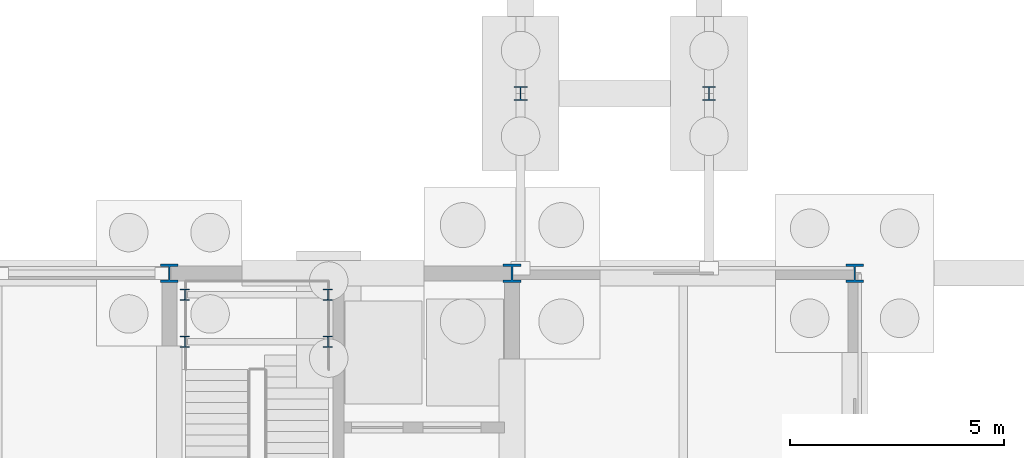
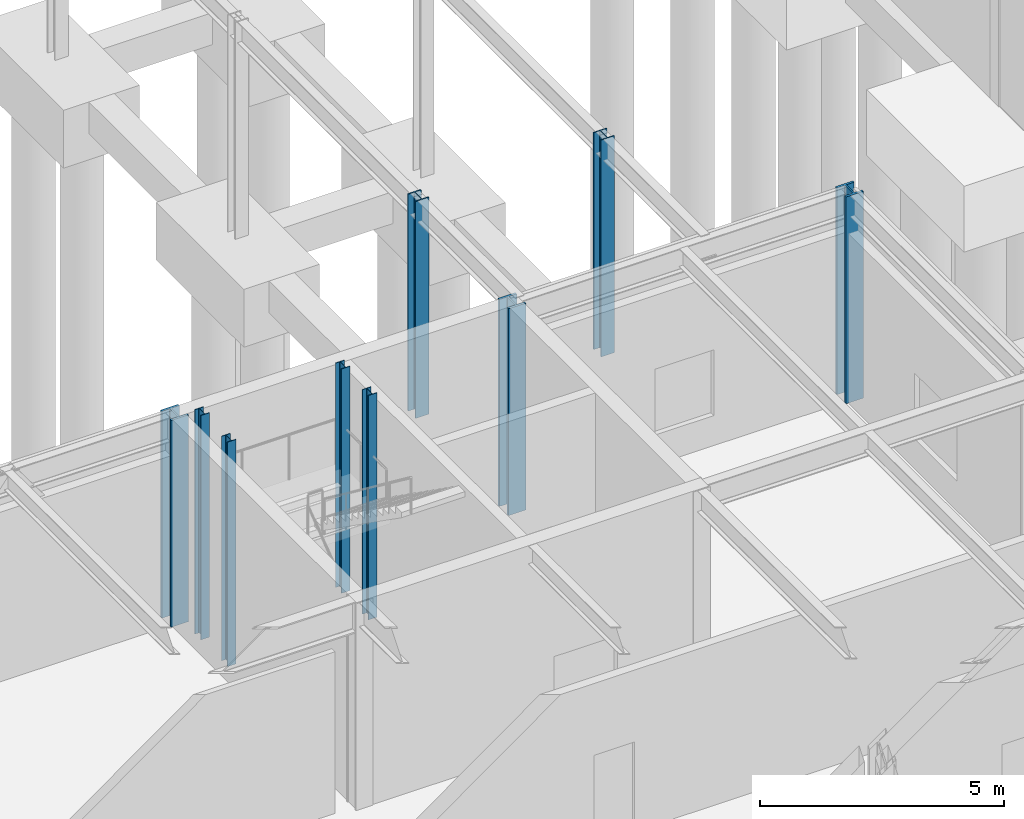
# One storey, part 11 of 62: 9 columns.
"""IFC4 building model written with IfcOpenShell, lengths in metres."""

from ifc_helpers import new_model, si_unit, direction, frame, origin, origin_2d, place, context, subcontext, project, spatial, i_section, extrude, material, material_profile, profile_set, type_object, element, save


model = new_model("IFC4")

# Units and contexts
model_context = context("Model", 3, precision=1e-05, world=origin(), true_north=direction((0.0, 1.0)))
body_context = subcontext(model_context, "Body", "Model", "MODEL_VIEW")
ifc_project = project(units=[si_unit("LENGTHUNIT", "METRE"), si_unit("AREAUNIT", "SQUARE_METRE"), si_unit("VOLUMEUNIT", "CUBIC_METRE"), si_unit("PLANEANGLEUNIT", "RADIAN"), si_unit("MASSUNIT", "GRAM", prefix="KILO")], contexts=[model_context])

# Site, building, storey
site_placement = place(None, origin())
site = spatial("IfcSite", under=ifc_project, at=site_placement, CompositionType="ELEMENT")
building_placement = place(site_placement, origin())
building = spatial("IfcBuilding", under=site, at=building_placement, Name="Zulena Civic Courthouse", CompositionType="ELEMENT")
storey_placement = place(building_placement, origin())
storey = spatial("IfcBuildingStorey", under=building, at=storey_placement, Name="L00", CompositionType="ELEMENT", Elevation=0.0)

# Columns
ifc_material = material(Name="Steel ASTM A992 Grade 50", Category="steel")
ifc_material_profile_1 = material_profile(ifc_material, i_section(OverallWidth=0.2041015625, OverallDepth=0.257080078125, WebThickness=0.0087890625, FlangeThickness=0.015625, FilletRadius=0.0126953125, at=origin_2d()), Name="W10X45")
ifc_profile_set_1 = profile_set([ifc_material_profile_1], Name="Steel ASTM A992 Grade 50")
column_type_1 = type_object("IfcColumnType", Name="Col_W10X45", PredefinedType="COLUMN", material=ifc_profile_set_1)
for number, where, z_axis, x_axis, name in (
    (1, (44.360107421875, 21.199951171875, -0.22998046875), (0.0, 0.0, 1.0), (1.0, 0.0, 0.0), "col:lnd:K2B:L00:0:0"),
    (2, (47.699951171875, 21.199951171875, -0.22998046875), (0.0, 0.0, 1.0), (1.0, 0.0, 0.0), "col:lnd:K2B:L00:0:1"),
    (3, (44.360107421875, 22.300048828125, -0.22998046875), (0.0, 0.0, 1.0), (1.0, 0.0, 0.0), "col:lnd:K2B:L00:1:0"),
    (4, (47.699951171875, 22.300048828125, -0.22998046875), (0.0, 0.0, 1.0), (1.0, 0.0, 0.0), "col:lnd:K2B:L00:1:1"),
):
    element("IfcColumn", number, at=place(storey_placement, frame(where, z_axis=z_axis, x_axis=x_axis)), inside=storey, type_object=column_type_1, Name=name, PredefinedType="COLUMN", context=body_context, shape_type="SweptSolid", body=[
        extrude(i_section(OverallWidth=0.2041015625, OverallDepth=0.257080078125, WebThickness=0.0087890625, FlangeThickness=0.015625, FilletRadius=0.0126953125, at=origin_2d()), origin(), (0.0, 0.0, 1.0), 5.625),
    ])
ifc_material_profile_2 = material_profile(ifc_material, i_section(OverallWidth=0.31298828125, OverallDepth=0.3330078125, WebThickness=0.01806640625, FlangeThickness=0.0283203125, FilletRadius=0.01513671875, at=origin_2d()), Name="W12X120")
ifc_profile_set_2 = profile_set([ifc_material_profile_2], Name="Steel ASTM A992 Grade 50")
column_type_2 = type_object("IfcColumnType", Name="Col_W12X120", PredefinedType="COLUMN", material=ifc_profile_set_2)
for number, where, z_axis, x_axis, name in (
    (5, (52.199951171875, 27.0, -0.22998046875), (0.0, 0.0, 1.0), (1.0, 0.0, 0.0), "col:bridge:BR-52C:L00:52.20:27.00"),
    (6, (56.60009765625, 27.0, -0.22998046875), (0.0, 0.0, 1.0), (1.0, 0.0, 0.0), "col:bridge:BR-52C:L00:56.60:27.00"),
):
    element("IfcColumn", number, at=place(storey_placement, frame(where, z_axis=z_axis, x_axis=x_axis)), inside=storey, type_object=column_type_2, Name=name, PredefinedType="COLUMN", context=body_context, shape_type="SweptSolid", body=[
        extrude(i_section(OverallWidth=0.31298828125, OverallDepth=0.3330078125, WebThickness=0.01806640625, FlangeThickness=0.0283203125, FilletRadius=0.01513671875, at=origin_2d()), origin(), (0.0, 0.0, 1.0), 5.43505859375),
    ])
ifc_material_profile_3 = material_profile(ifc_material, i_section(OverallWidth=0.412109375, OverallDepth=0.43505859375, WebThickness=0.035888671875, FlangeThickness=0.057373046875, FilletRadius=0.01513671875, at=origin_2d()), Name="W14X311")
ifc_profile_set_3 = profile_set([ifc_material_profile_3], Name="Steel ASTM A992 Grade 50")
column_type_3 = type_object("IfcColumnType", Name="Col_W14X311", PredefinedType="COLUMN", material=ifc_profile_set_3)
for number, where, z_axis, x_axis, name in (
    (7, (44.0, 22.800048828125, 0.0), (0.0, 0.0, 1.0), (1.0, 0.0, 0.0), "col:V2:L00:44.0:22.8"),
    (8, (52.0, 22.800048828125, 0.0), (0.0, 0.0, 1.0), (1.0, 0.0, 0.0), "col:V2:L00:52.0:22.8"),
    (9, (60.0, 22.800048828125, 0.0), (0.0, 0.0, 1.0), (1.0, 0.0, 0.0), "col:V2:L00:60.0:22.8"),
):
    element("IfcColumn", number, at=place(storey_placement, frame(where, z_axis=z_axis, x_axis=x_axis)), inside=storey, type_object=column_type_3, Name=name, PredefinedType="COLUMN", context=body_context, shape_type="SweptSolid", body=[
        extrude(i_section(OverallWidth=0.412109375, OverallDepth=0.43505859375, WebThickness=0.035888671875, FlangeThickness=0.057373046875, FilletRadius=0.01513671875, at=origin_2d()), origin(), (0.0, 0.0, 1.0), 5.18505859375),
    ])

save(model, "model.ifc")
